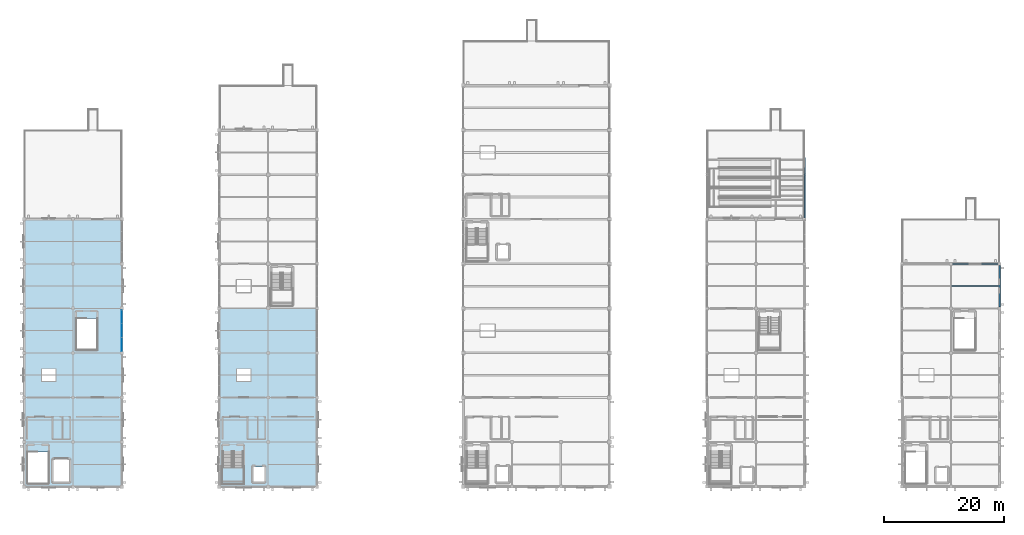
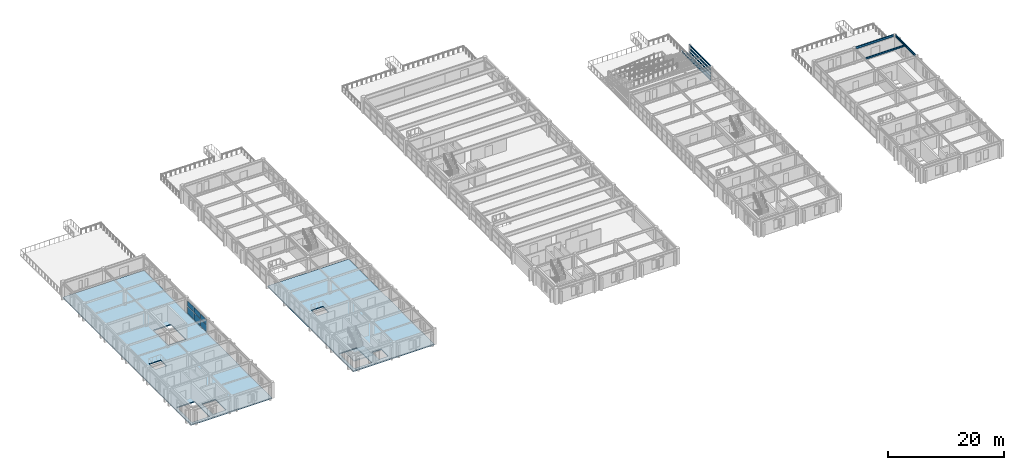
# One storey, part 71 of 93: 8 beams, 6 plates, 3 slabs, 2 elements without a shape of their own.
"""IFC4 building model written with IfcOpenShell, lengths in metres."""

from ifc_helpers import new_model, si_unit, direction, frame, origin, origin_2d, place, context, subcontext, project, spatial, polyline, rectangle, i_section, outline, extrude, material, layer, layer_set, material_profile, profile_set, type_object, element, aggregate, save


model = new_model("IFC4")

# Units and contexts
model_context = context("Model", 3, precision=1e-05, world=origin(), true_north=direction((0.0, 1.0)))
body_context = subcontext(model_context, "Body", "Model", "MODEL_VIEW")
ifc_project = project(units=[si_unit("LENGTHUNIT", "METRE"), si_unit("AREAUNIT", "SQUARE_METRE"), si_unit("VOLUMEUNIT", "CUBIC_METRE"), si_unit("PLANEANGLEUNIT", "RADIAN"), si_unit("MASSUNIT", "GRAM", prefix="KILO")], contexts=[model_context])

# Site, building, storey
site_placement = place(None, origin())
site = spatial("IfcSite", under=ifc_project, at=site_placement, CompositionType="ELEMENT")
building_placement = place(site_placement, origin())
building = spatial("IfcBuilding", under=site, at=building_placement, Name="Cimatlan Art Gallery", CompositionType="ELEMENT")
storey_placement = place(building_placement, frame((0.0, 0.0, 13.800048828125)))
storey = spatial("IfcBuildingStorey", under=building, at=storey_placement, Name="L03", CompositionType="ELEMENT", Elevation=13.800048828125)

# Beams
ifc_material_1 = material(Name="Steel ASTM A992 Grade 50", Category="steel")
ifc_material_profile_1 = material_profile(ifc_material_1, i_section(OverallWidth=0.1650390625, OverallDepth=0.31005859375, WebThickness=0.005859375, FlangeThickness=0.009765625, at=origin_2d()), Name="W12X26")
ifc_profile_set_1 = profile_set([ifc_material_profile_1], Name="Steel ASTM A992 Grade 50")
beam_type_1 = type_object("IfcBeamType", Name="BM-STL-W12X26", PredefinedType="JOIST", material=ifc_profile_set_1)
beam_1_placement = place(storey_placement, frame((131.60009765625, 68.52001953125, 0.364990234375), z_axis=(0.0, 1.0, 0.0), x_axis=(-1.0, 0.0, 0.0)))
element("IfcBeam", 1, at=beam_1_placement, inside=storey, type_object=beam_type_1, Name="BM-RMP-TER-U4-L1-NSE", PredefinedType="JOIST", context=body_context, shape_type="SweptSolid", body=[
    extrude(i_section(OverallWidth=0.1650390625, OverallDepth=0.31005859375, WebThickness=0.005859375, FlangeThickness=0.009765625, at=origin_2d()), origin(), (0.0, 0.0, 1.0), 9.97998046875),
])
beam_2_placement = place(storey_placement, frame((131.60009765625, 68.52001953125, 1.0849609375), z_axis=(0.0, 1.0, 0.0), x_axis=(-1.0, 0.0, 0.0)))
element("IfcBeam", 2, at=beam_2_placement, inside=storey, type_object=beam_type_1, Name="BM-RMP-TER-U4-L2-NSE", PredefinedType="JOIST", context=body_context, shape_type="SweptSolid", body=[
    extrude(i_section(OverallWidth=0.1650390625, OverallDepth=0.31005859375, WebThickness=0.005859375, FlangeThickness=0.009765625, at=origin_2d()), origin(), (0.0, 0.0, 1.0), 8.330078125),
])
for number, where, z_axis, x_axis, name in (
    (3, (131.60009765625, 68.52001953125, 1.804931640625), (0.0, 1.0, 0.0), (-1.0, 0.0, 0.0), "BM-RMP-TER-U4-L3-NSE"),
    (4, (131.60009765625, 68.52001953125, 2.52490234375), (0.0, 1.0, 0.0), (-1.0, 0.0, 0.0), "BM-RMP-TER-U4-L4-NSE"),
    (5, (131.60009765625, 68.52001953125, 3.244873046875), (0.0, 1.0, 0.0), (-1.0, 0.0, 0.0), "BM-RMP-TER-U4-L5-NSE"),
):
    element("IfcBeam", number, at=place(storey_placement, frame(where, z_axis=z_axis, x_axis=x_axis)), inside=storey, type_object=beam_type_1, Name=name, PredefinedType="JOIST", context=body_context, shape_type="SweptSolid", body=[
        extrude(i_section(OverallWidth=0.1650390625, OverallDepth=0.31005859375, WebThickness=0.005859375, FlangeThickness=0.009765625, at=origin_2d()), origin(), (0.0, 0.0, 1.0), 7.3798828125),
    ])
ifc_material_profile_2 = material_profile(ifc_material_1, i_section(OverallWidth=0.1708984375, OverallDepth=0.35107421875, WebThickness=0.0068359375, FlangeThickness=0.009765625, at=origin_2d()), Name="W14X30")
ifc_profile_set_2 = profile_set([ifc_material_profile_2], Name="Steel ASTM A992 Grade 50")
beam_type_2 = type_object("IfcBeamType", Name="BM-STL-W14X30", PredefinedType="JOIST", material=ifc_profile_set_2)
beam_3_placement = place(storey_placement, frame((155.99560546875, 57.199951171875, 3.204345703125), z_axis=(1.0, 0.0, 0.0), x_axis=(0.0, 1.0, 0.0)))
element("IfcBeam", 6, at=beam_3_placement, inside=storey, type_object=beam_type_2, Name="JST-L03-19-07", PredefinedType="JOIST", context=body_context, shape_type="SweptSolid", body=[
    extrude(i_section(OverallWidth=0.1708984375, OverallDepth=0.35107421875, WebThickness=0.0068359375, FlangeThickness=0.009765625, at=origin_2d()), origin(), (0.0, 0.0, 1.0), 7.908935546875),
])
ifc_material_profile_3 = material_profile(ifc_material_1, i_section(OverallWidth=0.19091796875, OverallDepth=0.45703125, WebThickness=0.009033203125, FlangeThickness=0.014404296875, at=origin_2d()), Name="W18X50")
ifc_profile_set_3 = profile_set([ifc_material_profile_3], Name="Steel ASTM A992 Grade 50")
beam_type_3 = type_object("IfcBeamType", Name="BM-STL-W18X50", PredefinedType="BEAM", material=ifc_profile_set_3)
beam_4_placement = place(storey_placement, frame((164.0, 53.75, 3.1513671875), z_axis=(0.0, 1.0, 0.0), x_axis=(-1.0, 0.0, 0.0)))
element("IfcBeam", 7, at=beam_4_placement, inside=storey, type_object=beam_type_3, Name="BM-Y-L03-20-07", PredefinedType="BEAM", context=body_context, shape_type="SweptSolid", body=[
    extrude(i_section(OverallWidth=0.19091796875, OverallDepth=0.45703125, WebThickness=0.009033203125, FlangeThickness=0.014404296875, at=origin_2d()), origin(), (0.0, 0.0, 1.0), 6.89990234375),
])
beam_5_placement = place(storey_placement, frame((156.14990234375, 60.89990234375, 3.1513671875), z_axis=(1.0, 0.0, 0.0), x_axis=(0.0, 1.0, 0.0)))
element("IfcBeam", 8, at=beam_5_placement, inside=storey, type_object=beam_type_3, Name="BM-X-L03-19-08", PredefinedType="BEAM", context=body_context, shape_type="SweptSolid", body=[
    extrude(i_section(OverallWidth=0.19091796875, OverallDepth=0.45703125, WebThickness=0.009033203125, FlangeThickness=0.014404296875, at=origin_2d()), origin(), (0.0, 0.0, 1.0), 7.60009765625),
])

# Curtain wall, plates
ifc_material_2 = material(Name="Anodised bronze unitised curtain wall")
curtain_wall_type = type_object("IfcCurtainWallType", Name="CW-V-06842X02863-B3", PredefinedType="NOTDEFINED", material=ifc_material_2)
curtain_wall_placement = place(storey_placement, origin())
curtain_wall = element("IfcCurtainWall", 9, at=curtain_wall_placement, inside=storey, type_object=curtain_wall_type, Name="CW-L03-01-06-E", PredefinedType="NOTDEFINED")
ifc_material_3 = material(Name="Low-E insulated double glazing", Category="glass")
ifc_layer_1 = layer(ifc_material_3, 0.028076171875)
ifc_layer_set_1 = layer_set([ifc_layer_1], Name="Low-E insulated double glazing")
plate_type_1 = type_object("IfcPlateType", Name="PNL-2223X1076", PredefinedType="CURTAIN_PANEL", material=ifc_layer_set_1)
plate_1_placement = place(storey_placement, frame((18.199951171875, 52.08056640625, 1.6650390625), z_axis=(0.0, 0.0, 1.0), x_axis=(0.0, -1.0, 0.0)))
plate_1 = element("IfcPlate", 10, at=plate_1_placement, type_object=plate_type_1, Name="CW-L03-01-06-E-P12", PredefinedType="CURTAIN_PANEL", context=body_context, shape_type="SweptSolid", body=[
    extrude(rectangle(XDim=2.222900390625, YDim=0.028076171875, at=origin_2d()), origin(), (0.0, 0.0, 1.0), 1.075927734375),
])
plate_2_placement = place(storey_placement, frame((18.199951171875, 49.800048828125, 1.6650390625), z_axis=(0.0, 0.0, 1.0), x_axis=(0.0, -1.0, 0.0)))
plate_2 = element("IfcPlate", 11, at=plate_2_placement, type_object=plate_type_1, Name="CW-L03-01-06-E-P22", PredefinedType="CURTAIN_PANEL", context=body_context, shape_type="SweptSolid", body=[
    extrude(rectangle(XDim=2.222900390625, YDim=0.028076171875, at=origin_2d()), origin(), (0.0, 0.0, 1.0), 1.075927734375),
])
plate_3_placement = place(storey_placement, frame((18.199951171875, 47.519287109375, 1.6650390625), z_axis=(0.0, 0.0, 1.0), x_axis=(0.0, -1.0, 0.0)))
plate_3 = element("IfcPlate", 12, at=plate_3_placement, type_object=plate_type_1, Name="CW-L03-01-06-E-P32", PredefinedType="CURTAIN_PANEL", context=body_context, shape_type="SweptSolid", body=[
    extrude(rectangle(XDim=2.222900390625, YDim=0.028076171875, at=origin_2d()), origin(), (0.0, 0.0, 1.0), 1.075927734375),
])
ifc_layer_2 = layer(ifc_material_3, 0.028076171875)
ifc_layer_set_2 = layer_set([ifc_layer_2], Name="Low-E insulated double glazing")
plate_type_2 = type_object("IfcPlateType", Name="PNL-2223X1419", PredefinedType="CURTAIN_PANEL", material=ifc_layer_set_2)
plate_4_placement = place(storey_placement, frame((18.199951171875, 52.08056640625, 0.1220703125), z_axis=(0.0, 0.0, 1.0), x_axis=(0.0, -1.0, 0.0)))
plate_4 = element("IfcPlate", 13, at=plate_4_placement, type_object=plate_type_2, Name="CW-L03-01-06-E-P11", PredefinedType="CURTAIN_PANEL", context=body_context, shape_type="SweptSolid", body=[
    extrude(rectangle(XDim=2.222900390625, YDim=0.028076171875, at=origin_2d()), origin(), (0.0, 0.0, 1.0), 1.4189453125),
])
plate_5_placement = place(storey_placement, frame((18.199951171875, 49.800048828125, 0.1220703125), z_axis=(0.0, 0.0, 1.0), x_axis=(0.0, -1.0, 0.0)))
plate_5 = element("IfcPlate", 14, at=plate_5_placement, type_object=plate_type_2, Name="CW-L03-01-06-E-P21", PredefinedType="CURTAIN_PANEL", context=body_context, shape_type="SweptSolid", body=[
    extrude(rectangle(XDim=2.222900390625, YDim=0.028076171875, at=origin_2d()), origin(), (0.0, 0.0, 1.0), 1.4189453125),
])
plate_6_placement = place(storey_placement, frame((18.199951171875, 47.519287109375, 0.1220703125), z_axis=(0.0, 0.0, 1.0), x_axis=(0.0, -1.0, 0.0)))
plate_6 = element("IfcPlate", 15, at=plate_6_placement, type_object=plate_type_2, Name="CW-L03-01-06-E-P31", PredefinedType="CURTAIN_PANEL", context=body_context, shape_type="SweptSolid", body=[
    extrude(rectangle(XDim=2.222900390625, YDim=0.028076171875, at=origin_2d()), origin(), (0.0, 0.0, 1.0), 1.4189453125),
])
aggregate(curtain_wall, [plate_4, plate_1, plate_5, plate_2, plate_6, plate_3])

# Slabs
ifc_material_4 = material(Name="Concrete C35/45", Category="concrete")
ifc_layer_3 = layer(ifc_material_4, 0.22998046875)
ifc_layer_set_3 = layer_set([ifc_layer_3], Name="Concrete C35/45")
slab_type_1 = type_object("IfcSlabType", Name="SLB-FLR-L03", PredefinedType="FLOOR", material=ifc_layer_set_3)
slab_1_placement = place(storey_placement, frame((0.0, 0.0, -0.22998046875)))
element("IfcSlab", 16, at=slab_1_placement, inside=storey, type_object=slab_type_1, Name="SLB-L03-B1S", PredefinedType="FLOOR", context=body_context, shape_type="SweptSolid", body=[
    extrude(outline(polyline([(2.0, 23.89990234375), (18.199951171875, 23.89990234375), (18.199951171875, 68.300048828125), (2.0, 68.300048828125), (2.0, 23.89990234375)]), holes=[polyline([(2.5, 24.419921875), (6.02001953125, 24.419921875), (6.02001953125, 29.64990234375), (2.5, 29.64990234375), (2.5, 24.419921875)]), polyline([(6.81005859375, 24.7099609375), (9.489990234375, 24.7099609375), (9.489990234375, 28.389892578125), (6.81005859375, 28.389892578125), (6.81005859375, 24.7099609375)]), polyline([(10.60009765625, 46.6201171875), (14.1201171875, 46.6201171875), (14.1201171875, 51.85009765625), (10.60009765625, 51.85009765625), (10.60009765625, 46.6201171875)]), polyline([(4.89990234375, 41.39990234375), (7.199951171875, 41.39990234375), (7.199951171875, 43.39990234375), (4.89990234375, 43.39990234375), (4.89990234375, 41.39990234375)])]), origin(), (0.0, 0.0, 1.0), 0.22998046875),
])
slab_2_placement = place(storey_placement, frame((0.0, 0.0, -0.22998046875)))
element("IfcSlab", 17, at=slab_2_placement, inside=storey, type_object=slab_type_1, Name="SLB-L03-B2S", PredefinedType="FLOOR", context=body_context, shape_type="SweptSolid", body=[
    extrude(outline(polyline([(34.39990234375, 23.89990234375), (50.60009765625, 23.89990234375), (50.60009765625, 53.5), (34.39990234375, 53.5), (34.39990234375, 23.89990234375)]), holes=[polyline([(34.89990234375, 24.419921875), (38.419921875, 24.419921875), (38.419921875, 29.64990234375), (34.89990234375, 29.64990234375), (34.89990234375, 24.419921875)]), polyline([(40.010009765625, 24.7099609375), (41.889892578125, 24.7099609375), (41.889892578125, 27.18994140625), (40.010009765625, 27.18994140625), (40.010009765625, 24.7099609375)]), polyline([(37.300048828125, 41.39990234375), (39.60009765625, 41.39990234375), (39.60009765625, 43.39990234375), (37.300048828125, 43.39990234375), (37.300048828125, 41.39990234375)])]), origin(), (0.0, 0.0, 1.0), 0.22998046875),
])

# Stair, slab
stair_type = type_object("IfcStairType", Name="STR-HALF-155-360", PredefinedType="HALF_TURN_STAIR", material=ifc_material_4)
stair_placement = place(storey_placement, origin())
stair = element("IfcStair", 18, at=stair_placement, inside=storey, type_object=stair_type, Name="STR-C2-L03", PredefinedType="HALF_TURN_STAIR")
ifc_layer_4 = layer(ifc_material_4, 0.219970703125)
ifc_layer_set_4 = layer_set([ifc_layer_4], Name="Concrete C35/45")
slab_type_2 = type_object("IfcSlabType", Name="SLB-STAIR-LAND-220", PredefinedType="LANDING", material=ifc_layer_set_4)
slab_3_placement = place(storey_placement, frame((0.0, 0.0, 1.579833984375)))
slab_3 = element("IfcSlab", 19, at=slab_3_placement, type_object=slab_type_2, Name="STR-C2-L03-LND", PredefinedType="LANDING", context=body_context, shape_type="SweptSolid", body=[
    extrude(outline(polyline([(34.75, 24.25), (38.5400390625, 24.25), (38.5400390625, 27.280029296875), (34.75, 27.280029296875), (34.75, 24.25)])), origin(), (0.0, 0.0, 1.0), 0.22021484375),
])
aggregate(stair, [slab_3])

save(model, "model.ifc")
